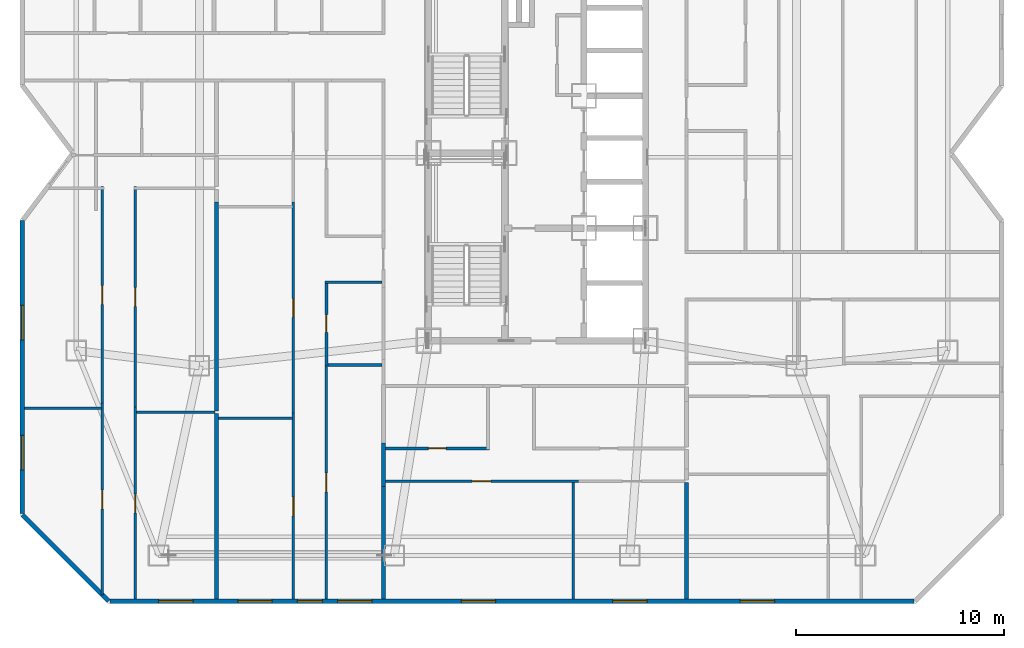
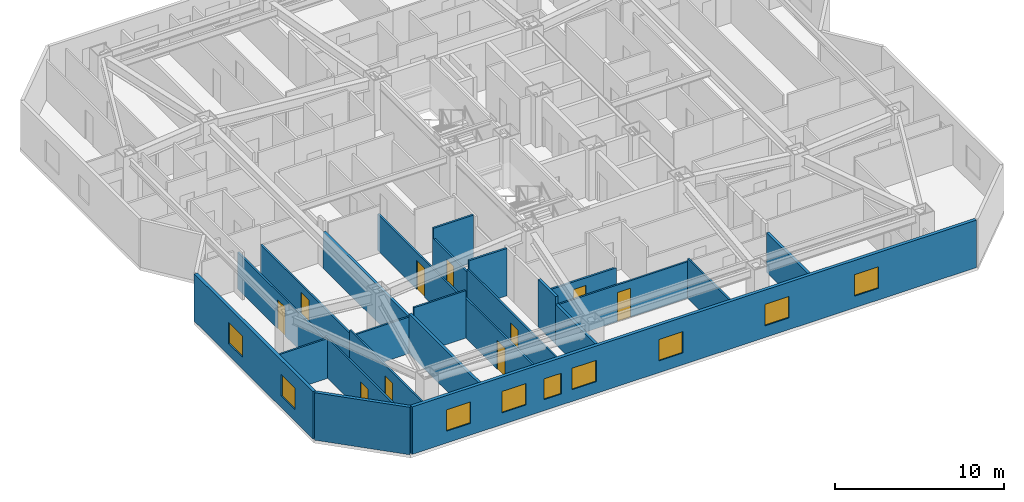
# One storey, part 5 of 11: 24 walls, 10 doors, 9 windows, 19 openings.
"""IFC4 building model written with IfcOpenShell, lengths in metres."""

from ifc_helpers import new_model, si_unit, direction, frame, frame_2d, origin, place, context, subcontext, project, spatial, rectangle, extrude, material, layer, layer_set, type_object, element, fill, save


model = new_model("IFC4")

# Units and contexts
model_context = context("Model", 3, precision=1e-05, world=origin(), true_north=direction((0.0, 1.0)))
body_context = subcontext(model_context, "Body", "Model", "MODEL_VIEW")
ifc_project = project(units=[si_unit("LENGTHUNIT", "METRE"), si_unit("AREAUNIT", "SQUARE_METRE"), si_unit("VOLUMEUNIT", "CUBIC_METRE"), si_unit("PLANEANGLEUNIT", "RADIAN"), si_unit("MASSUNIT", "GRAM", prefix="KILO")], contexts=[model_context])

# Site, building, storey
site_placement = place(None, origin())
site = spatial("IfcSite", under=ifc_project, at=site_placement, CompositionType="ELEMENT")
building_placement = place(site_placement, origin())
building = spatial("IfcBuilding", under=site, at=building_placement, Name="Khamvora Tower", CompositionType="ELEMENT")
storey_placement = place(building_placement, frame((0.0, 0.0, 116.5)))
storey = spatial("IfcBuildingStorey", under=building, at=storey_placement, Name="L29", CompositionType="ELEMENT", Elevation=116.5)

# Walls
ifc_material_1 = material(Name="Acoustic Double-Stud Fire Wall", Category="gypsum")
ifc_layer_1 = layer(ifc_material_1, 0.179931640625)
ifc_layer_set_1 = layer_set([ifc_layer_1], Name="Acoustic Double-Stud Fire Wall")
wall_type_1 = type_object("IfcWallType", Name="WAL-CORR-180", PredefinedType="STANDARD", material=ifc_layer_set_1)
wall_1_placement = place(storey_placement, frame((18.830078125, 15.5029296875, 0.0), z_axis=(0.0, 0.0, 1.0), x_axis=(0.0, -1.0, 0.0)))
element("IfcWall", 1, at=wall_1_placement, inside=storey, type_object=wall_type_1, Name="L29 interior partition wall 057", PredefinedType="STANDARD", context=body_context, shape_type="SweptSolid", body=[
    extrude(rectangle(XDim=8.890869140625, YDim=0.179931640625, at=frame_2d((4.4453125, 0.0))), origin(), (0.0, 0.0, 1.0), 2.8759765625),
])
wall_2_placement = place(storey_placement, frame((18.830078125, 25.6669921875, 0.0), z_axis=(0.0, 0.0, 1.0), x_axis=(0.0, -1.0, 0.0)))
element("IfcWall", 2, at=wall_2_placement, inside=storey, type_object=wall_type_1, Name="L29 interior partition wall 058", PredefinedType="STANDARD", context=body_context, shape_type="SweptSolid", body=[
    extrude(rectangle(XDim=10.033935546875, YDim=0.179931640625, at=frame_2d((5.01708984375, 0.0))), origin(), (0.0, 0.0, 1.0), 2.64697265625),
])
wall_3_placement = place(storey_placement, frame((26.8349609375, 14.0869140625, 0.0), z_axis=(0.0, 0.0, 1.0), x_axis=(0.0, -1.0, 0.0)))
element("IfcWall", 3, at=wall_3_placement, inside=storey, type_object=wall_type_1, Name="L29 interior partition wall 062", PredefinedType="STANDARD", context=body_context, shape_type="SweptSolid", body=[
    extrude(rectangle(XDim=2.077880859375, YDim=0.179931640625, at=frame_2d((1.0390625, 0.0))), origin(), (0.0, 0.0, 1.0), 3.429931640625),
])
wall_4_placement = place(storey_placement, frame((26.8349609375, 12.009033203125, 0.0), z_axis=(0.0, 0.0, 1.0), x_axis=(0.0, -1.0, 0.0)))
element("IfcWall", 4, at=wall_4_placement, inside=storey, type_object=wall_type_1, Name="L29 interior partition wall 064", PredefinedType="STANDARD", context=body_context, shape_type="SweptSolid", body=[
    extrude(rectangle(XDim=5.39697265625, YDim=0.179931640625, at=frame_2d((2.698486328125, 0.0))), origin(), (0.0, 0.0, 1.0), 2.8759765625),
])
wall_5_placement = place(storey_placement, frame((41.364990234375, 12.193115234375, 0.0), z_axis=(0.0, 0.0, 1.0), x_axis=(0.0, -1.0, 0.0)))
element("IfcWall", 5, at=wall_5_placement, inside=storey, type_object=wall_type_1, Name="L29 interior partition wall 108", PredefinedType="STANDARD", context=body_context, shape_type="SweptSolid", body=[
    extrude(rectangle(XDim=5.5810546875, YDim=0.179931640625, at=frame_2d((2.79052734375, 0.0))), origin(), (0.0, 0.0, 1.0), 2.8759765625),
])
ifc_material_2 = material(Name="Precast concrete C40/50", Category="concrete")
ifc_layer_2 = layer(ifc_material_2, 0.219970703125)
ifc_layer_set_2 = layer_set([ifc_layer_2], Name="Precast concrete C40/50")
wall_type_2 = type_object("IfcWallType", Name="WAL-EXT-220", PredefinedType="STANDARD", material=ifc_layer_set_2)
wall_6_placement = place(storey_placement, frame((13.64599609375, 6.510009765625, 0.0), z_axis=(0.0, 0.0, 1.0), x_axis=(-0.707106781187, 0.707106781187, 0.0)))
element("IfcWall", 6, at=wall_6_placement, inside=storey, type_object=wall_type_2, Name="L29 exterior facade wall 01.1", PredefinedType="STANDARD", context=body_context, shape_type="SweptSolid", body=[
    extrude(rectangle(XDim=5.84912109375, YDim=0.219970703125, at=frame_2d((2.924560546875, 0.0))), origin(), (0.0, 0.0, 1.0), 3.429931640625),
])

# Wall, openings, windows
wall_7_placement = place(storey_placement, frame((9.510009765625, 10.717041015625, 0.0), z_axis=(0.0, 0.0, 1.0), x_axis=(0.0, 1.0, 0.0)))
wall_7 = element("IfcWall", 7, at=wall_7_placement, inside=storey, type_object=wall_type_2, Name="L29 exterior facade wall 02.1", PredefinedType="STANDARD", context=body_context, shape_type="SweptSolid", body=[
    extrude(rectangle(XDim=14.0458984375, YDim=0.219970703125, at=frame_2d((7.02294921875, 0.0))), origin(), (0.0, 0.0, 1.0), 3.429931640625),
])
opening_1_placement = place(wall_7_placement, frame((2.090087890625, 0.0, 0.85009765625)))
opening_1 = element("IfcOpeningElement", 8, at=opening_1_placement, cuts=wall_7, Name="Opening WN-06", PredefinedType="OPENING", context=body_context, shape_type="SweptSolid", body=[
    extrude(rectangle(XDim=1.64990234375, YDim=1.550048828125, at=frame_2d((0.824951171875, 0.77490234375))), frame((0.0, 0.119873046875, 0.0), z_axis=(0.0, -1.0, 0.0), x_axis=(1.0, 0.0, 0.0)), (0.0, 0.0, 1.0), 0.239990234375),
])
opening_2_placement = place(wall_7_placement, frame((8.327880859375, 0.0, 0.85009765625)))
opening_2 = element("IfcOpeningElement", 9, at=opening_2_placement, cuts=wall_7, Name="Opening WN-06", PredefinedType="OPENING", context=body_context, shape_type="SweptSolid", body=[
    extrude(rectangle(XDim=1.64990234375, YDim=1.550048828125, at=frame_2d((0.824951171875, 0.77490234375))), frame((0.0, 0.119873046875, 0.0), z_axis=(0.0, -1.0, 0.0), x_axis=(1.0, 0.0, 0.0)), (0.0, 0.0, 1.0), 0.239990234375),
])
ifc_material_3 = material(Name="Low-E Laminated Double Glazing", Category="glass")
window_type_1 = type_object("IfcWindowType", Name="WIN-VIS-1650x1550", PartitioningType="SINGLE_PANEL", PredefinedType="WINDOW", material=ifc_material_3)
window_1_placement = place(opening_1_placement, origin())
window_1 = element("IfcWindow", 10, at=window_1_placement, inside=storey, type_object=window_type_1, Name="L29 vision window 02.1.01", OverallHeight=1.550048828125, OverallWidth=1.64990234375, PartitioningType="SINGLE_PANEL", PredefinedType="WINDOW", context=body_context, shape_type="SweptSolid", body=[
    extrude(rectangle(XDim=1.64990234375, YDim=1.550048828125, at=frame_2d((0.824951171875, 0.77490234375))), frame((0.0, 0.030029296875, 0.0), z_axis=(0.0, -1.0, 0.0), x_axis=(1.0, 0.0, 0.0)), (0.0, 0.0, 1.0), 0.06005859375),
])
fill(opening_1, window_1)
window_2_placement = place(opening_2_placement, origin())
window_2 = element("IfcWindow", 11, at=window_2_placement, inside=storey, type_object=window_type_1, Name="L29 vision window 02.1.02", OverallHeight=1.550048828125, OverallWidth=1.64990234375, PartitioningType="SINGLE_PANEL", PredefinedType="WINDOW", context=body_context, shape_type="SweptSolid", body=[
    extrude(rectangle(XDim=1.64990234375, YDim=1.550048828125, at=frame_2d((0.824951171875, 0.77490234375))), frame((0.0, 0.030029296875, 0.0), z_axis=(0.0, -1.0, 0.0), x_axis=(1.0, 0.0, 0.0)), (0.0, 0.0, 1.0), 0.06005859375),
])
fill(opening_2, window_2)

wall_8_placement = place(storey_placement, frame((52.282958984375, 6.510009765625, 0.0), z_axis=(0.0, 0.0, 1.0), x_axis=(-1.0, 0.0, 0.0)))
wall_8 = element("IfcWall", 12, at=wall_8_placement, inside=storey, type_object=wall_type_2, Name="L29 exterior facade wall 14.1", PredefinedType="STANDARD", context=body_context, shape_type="SweptSolid", body=[
    extrude(rectangle(XDim=38.56787109375, YDim=0.219970703125, at=frame_2d((19.283935546875, 0.0))), origin(), (0.0, 0.0, 1.0), 3.429931640625),
])
opening_3_placement = place(wall_8_placement, frame((34.5810546875, 0.0, 0.85009765625)))
opening_3 = element("IfcOpeningElement", 13, at=opening_3_placement, cuts=wall_8, Name="Opening WN-06", PredefinedType="OPENING", context=body_context, shape_type="SweptSolid", body=[
    extrude(rectangle(XDim=1.64990234375, YDim=1.550048828125, at=frame_2d((0.824951171875, 0.77490234375))), frame((0.0, 0.119873046875, 0.0), z_axis=(0.0, -1.0, 0.0), x_axis=(1.0, 0.0, 0.0)), (0.0, 0.0, 1.0), 0.239990234375),
])
opening_4_placement = place(wall_8_placement, frame((25.991943359375, 0.0, 0.85009765625)))
opening_4 = element("IfcOpeningElement", 14, at=opening_4_placement, cuts=wall_8, Name="Opening WN-06", PredefinedType="OPENING", context=body_context, shape_type="SweptSolid", body=[
    extrude(rectangle(XDim=1.64990234375, YDim=1.550048828125, at=frame_2d((0.824951171875, 0.77490234375))), frame((0.0, 0.119873046875, 0.0), z_axis=(0.0, -1.0, 0.0), x_axis=(1.0, 0.0, 0.0)), (0.0, 0.0, 1.0), 0.239990234375),
])
opening_5_placement = place(wall_8_placement, frame((28.375, 0.0, 0.800048828125)))
opening_5 = element("IfcOpeningElement", 15, at=opening_5_placement, cuts=wall_8, Name="Opening WN-03", PredefinedType="OPENING", context=body_context, shape_type="SweptSolid", body=[
    extrude(rectangle(XDim=1.199951171875, YDim=1.5, at=frame_2d((0.60009765625, 0.75))), frame((0.0, 0.119873046875, 0.0), z_axis=(0.0, -1.0, 0.0), x_axis=(1.0, 0.0, 0.0)), (0.0, 0.0, 1.0), 0.239990234375),
])
opening_6_placement = place(wall_8_placement, frame((30.783935546875, 0.0, 0.85009765625)))
opening_6 = element("IfcOpeningElement", 16, at=opening_6_placement, cuts=wall_8, Name="Opening WN-06", PredefinedType="OPENING", context=body_context, shape_type="SweptSolid", body=[
    extrude(rectangle(XDim=1.64990234375, YDim=1.550048828125, at=frame_2d((0.824951171875, 0.77490234375))), frame((0.0, 0.119873046875, 0.0), z_axis=(0.0, -1.0, 0.0), x_axis=(1.0, 0.0, 0.0)), (0.0, 0.0, 1.0), 0.239990234375),
])
opening_7_placement = place(wall_8_placement, frame((20.06689453125, 0.0, 0.85009765625)))
opening_7 = element("IfcOpeningElement", 17, at=opening_7_placement, cuts=wall_8, Name="Opening WN-06", PredefinedType="OPENING", context=body_context, shape_type="SweptSolid", body=[
    extrude(rectangle(XDim=1.64990234375, YDim=1.550048828125, at=frame_2d((0.824951171875, 0.77490234375))), frame((0.0, 0.119873046875, 0.0), z_axis=(0.0, -1.0, 0.0), x_axis=(1.0, 0.0, 0.0)), (0.0, 0.0, 1.0), 0.239990234375),
])
opening_8_placement = place(wall_8_placement, frame((12.802001953125, 0.0, 0.85009765625)))
opening_8 = element("IfcOpeningElement", 18, at=opening_8_placement, cuts=wall_8, Name="Opening WN-06", PredefinedType="OPENING", context=body_context, shape_type="SweptSolid", body=[
    extrude(rectangle(XDim=1.64990234375, YDim=1.550048828125, at=frame_2d((0.824951171875, 0.77490234375))), frame((0.0, 0.119873046875, 0.0), z_axis=(0.0, -1.0, 0.0), x_axis=(1.0, 0.0, 0.0)), (0.0, 0.0, 1.0), 0.239990234375),
])
opening_9_placement = place(wall_8_placement, frame((6.68798828125, 0.0, 0.85009765625)))
opening_9 = element("IfcOpeningElement", 19, at=opening_9_placement, cuts=wall_8, Name="Opening WN-06", PredefinedType="OPENING", context=body_context, shape_type="SweptSolid", body=[
    extrude(rectangle(XDim=1.64990234375, YDim=1.550048828125, at=frame_2d((0.824951171875, 0.77490234375))), frame((0.0, 0.119873046875, 0.0), z_axis=(0.0, -1.0, 0.0), x_axis=(1.0, 0.0, 0.0)), (0.0, 0.0, 1.0), 0.239990234375),
])
window_type_2 = type_object("IfcWindowType", Name="WIN-VIS-1200x1500", PartitioningType="SINGLE_PANEL", PredefinedType="WINDOW", material=ifc_material_3)
window_3_placement = place(opening_5_placement, origin())
window_3 = element("IfcWindow", 20, at=window_3_placement, inside=storey, type_object=window_type_2, Name="L29 vision window 14.1.03", OverallHeight=1.5, OverallWidth=1.199951171875, PartitioningType="SINGLE_PANEL", PredefinedType="WINDOW", context=body_context, shape_type="SweptSolid", body=[
    extrude(rectangle(XDim=1.199951171875, YDim=1.5, at=frame_2d((0.60009765625, 0.75))), frame((0.0, 0.030029296875, 0.0), z_axis=(0.0, -1.0, 0.0), x_axis=(1.0, 0.0, 0.0)), (0.0, 0.0, 1.0), 0.06005859375),
])
fill(opening_5, window_3)
window_4_placement = place(opening_3_placement, origin())
window_4 = element("IfcWindow", 21, at=window_4_placement, inside=storey, type_object=window_type_1, Name="L29 vision window 14.1.01", OverallHeight=1.550048828125, OverallWidth=1.64990234375, PartitioningType="SINGLE_PANEL", PredefinedType="WINDOW", context=body_context, shape_type="SweptSolid", body=[
    extrude(rectangle(XDim=1.64990234375, YDim=1.550048828125, at=frame_2d((0.824951171875, 0.77490234375))), frame((0.0, 0.030029296875, 0.0), z_axis=(0.0, -1.0, 0.0), x_axis=(1.0, 0.0, 0.0)), (0.0, 0.0, 1.0), 0.06005859375),
])
fill(opening_3, window_4)
window_5_placement = place(opening_4_placement, origin())
window_5 = element("IfcWindow", 22, at=window_5_placement, inside=storey, type_object=window_type_1, Name="L29 vision window 14.1.02", OverallHeight=1.550048828125, OverallWidth=1.64990234375, PartitioningType="SINGLE_PANEL", PredefinedType="WINDOW", context=body_context, shape_type="SweptSolid", body=[
    extrude(rectangle(XDim=1.64990234375, YDim=1.550048828125, at=frame_2d((0.824951171875, 0.77490234375))), frame((0.0, 0.030029296875, 0.0), z_axis=(0.0, -1.0, 0.0), x_axis=(1.0, 0.0, 0.0)), (0.0, 0.0, 1.0), 0.06005859375),
])
fill(opening_4, window_5)
window_6_placement = place(opening_6_placement, origin())
window_6 = element("IfcWindow", 23, at=window_6_placement, inside=storey, type_object=window_type_1, Name="L29 vision window 14.1.04", OverallHeight=1.550048828125, OverallWidth=1.64990234375, PartitioningType="SINGLE_PANEL", PredefinedType="WINDOW", context=body_context, shape_type="SweptSolid", body=[
    extrude(rectangle(XDim=1.64990234375, YDim=1.550048828125, at=frame_2d((0.824951171875, 0.77490234375))), frame((0.0, 0.030029296875, 0.0), z_axis=(0.0, -1.0, 0.0), x_axis=(1.0, 0.0, 0.0)), (0.0, 0.0, 1.0), 0.06005859375),
])
fill(opening_6, window_6)
window_7_placement = place(opening_7_placement, origin())
window_7 = element("IfcWindow", 24, at=window_7_placement, inside=storey, type_object=window_type_1, Name="L29 vision window 14.1.05", OverallHeight=1.550048828125, OverallWidth=1.64990234375, PartitioningType="SINGLE_PANEL", PredefinedType="WINDOW", context=body_context, shape_type="SweptSolid", body=[
    extrude(rectangle(XDim=1.64990234375, YDim=1.550048828125, at=frame_2d((0.824951171875, 0.77490234375))), frame((0.0, 0.030029296875, 0.0), z_axis=(0.0, -1.0, 0.0), x_axis=(1.0, 0.0, 0.0)), (0.0, 0.0, 1.0), 0.06005859375),
])
fill(opening_7, window_7)
window_8_placement = place(opening_8_placement, origin())
window_8 = element("IfcWindow", 25, at=window_8_placement, inside=storey, type_object=window_type_1, Name="L29 vision window 14.1.06", OverallHeight=1.550048828125, OverallWidth=1.64990234375, PartitioningType="SINGLE_PANEL", PredefinedType="WINDOW", context=body_context, shape_type="SweptSolid", body=[
    extrude(rectangle(XDim=1.64990234375, YDim=1.550048828125, at=frame_2d((0.824951171875, 0.77490234375))), frame((0.0, 0.030029296875, 0.0), z_axis=(0.0, -1.0, 0.0), x_axis=(1.0, 0.0, 0.0)), (0.0, 0.0, 1.0), 0.06005859375),
])
fill(opening_8, window_8)
window_9_placement = place(opening_9_placement, origin())
window_9 = element("IfcWindow", 26, at=window_9_placement, inside=storey, type_object=window_type_1, Name="L29 vision window 14.1.07", OverallHeight=1.550048828125, OverallWidth=1.64990234375, PartitioningType="SINGLE_PANEL", PredefinedType="WINDOW", context=body_context, shape_type="SweptSolid", body=[
    extrude(rectangle(XDim=1.64990234375, YDim=1.550048828125, at=frame_2d((0.824951171875, 0.77490234375))), frame((0.0, 0.030029296875, 0.0), z_axis=(0.0, -1.0, 0.0), x_axis=(1.0, 0.0, 0.0)), (0.0, 0.0, 1.0), 0.06005859375),
])
fill(opening_9, window_9)

# Wall, opening, door
ifc_material_4 = material(Name="Gypsum Plasterboard Partition", Category="gypsum")
ifc_layer_3 = layer(ifc_material_4, 0.1201171875)
ifc_layer_set_3 = layer_set([ifc_layer_3], Name="Gypsum Plasterboard Partition")
wall_type_3 = type_object("IfcWallType", Name="WAL-PART-120", PredefinedType="PARTITIONING", material=ifc_layer_set_3)
wall_9_placement = place(storey_placement, frame((13.35302734375, 6.7939453125, 0.0), z_axis=(0.0, 0.0, 1.0), x_axis=(0.0, 1.0, 0.0)))
wall_9 = element("IfcWall", 27, at=wall_9_placement, inside=storey, type_object=wall_type_3, Name="L29 interior partition wall 047", PredefinedType="PARTITIONING", context=body_context, shape_type="SweptSolid", body=[
    extrude(rectangle(XDim=9.217041015625, YDim=0.1201171875, at=frame_2d((4.6083984375, 0.0))), origin(), (0.0, 0.0, 1.0), 2.8759765625),
])
opening_10_placement = place(wall_9_placement, frame((4.137939453125, 0.0, 0.0)))
opening_10 = element("IfcOpeningElement", 28, at=opening_10_placement, cuts=wall_9, Name="Opening D-RM1", PredefinedType="OPENING", context=body_context, shape_type="SweptSolid", body=[
    extrude(rectangle(XDim=0.89990234375, YDim=2.10009765625, at=frame_2d((0.449951171875, 1.050048828125))), frame((0.0, 0.070068359375, 0.0), z_axis=(0.0, -1.0, 0.0), x_axis=(1.0, 0.0, 0.0)), (0.0, 0.0, 1.0), 0.14013671875),
])
ifc_material_5 = material(Name="Powder-Coated Steel and Hardwood Leaf", Category="steel")
door_type_1 = type_object("IfcDoorType", Name="DOR-ROOM-900", OperationType="NOTDEFINED", PredefinedType="DOOR", material=ifc_material_5)
door_1_placement = place(opening_10_placement, origin())
door_1 = element("IfcDoor", 29, at=door_1_placement, inside=storey, type_object=door_type_1, Name="L29 interior door 29WA1H-29WA1L", OperationType="SINGLE_SWING_RIGHT", OverallHeight=2.10009765625, OverallWidth=0.89990234375, PredefinedType="DOOR", context=body_context, shape_type="SweptSolid", body=[
    extrude(rectangle(XDim=0.89990234375, YDim=2.10009765625, at=frame_2d((0.449951171875, 1.050048828125))), frame((0.0, 0.02490234375, 0.0), z_axis=(0.0, -1.0, 0.0), x_axis=(1.0, 0.0, 0.0)), (0.0, 0.0, 1.0), 0.050048828125),
])
fill(opening_10, door_1)

wall_10_placement = place(storey_placement, frame((13.35302734375, 16.010986328125, 0.0), z_axis=(0.0, 0.0, 1.0), x_axis=(0.0, 1.0, 0.0)))
wall_10 = element("IfcWall", 30, at=wall_10_placement, inside=storey, type_object=wall_type_3, Name="L29 interior partition wall 048", PredefinedType="PARTITIONING", context=body_context, shape_type="SweptSolid", body=[
    extrude(rectangle(XDim=10.37890625, YDim=0.1201171875, at=frame_2d((5.189453125, 0.0))), origin(), (0.0, 0.0, 1.0), 2.64697265625),
])
opening_11_placement = place(wall_10_placement, frame((4.739013671875, 0.0, 0.0)))
opening_11 = element("IfcOpeningElement", 31, at=opening_11_placement, cuts=wall_10, Name="Opening D-RM1", PredefinedType="OPENING", context=body_context, shape_type="SweptSolid", body=[
    extrude(rectangle(XDim=0.89990234375, YDim=2.10009765625, at=frame_2d((0.449951171875, 1.050048828125))), frame((0.0, 0.070068359375, 0.0), z_axis=(0.0, -1.0, 0.0), x_axis=(1.0, 0.0, 0.0)), (0.0, 0.0, 1.0), 0.14013671875),
])
door_2_placement = place(opening_11_placement, origin())
door_2 = element("IfcDoor", 32, at=door_2_placement, inside=storey, type_object=door_type_1, Name="L29 interior door 29WA1H-29WA1R2", OperationType="SINGLE_SWING_LEFT", OverallHeight=2.10009765625, OverallWidth=0.89990234375, PredefinedType="DOOR", context=body_context, shape_type="SweptSolid", body=[
    extrude(rectangle(XDim=0.89990234375, YDim=2.10009765625, at=frame_2d((0.449951171875, 1.050048828125))), frame((0.0, 0.02490234375, 0.0), z_axis=(0.0, -1.0, 0.0), x_axis=(1.0, 0.0, 0.0)), (0.0, 0.0, 1.0), 0.050048828125),
])
fill(opening_11, door_2)

wall_11_placement = place(storey_placement, frame((14.923095703125, 15.81689453125, 0.0), z_axis=(0.0, 0.0, 1.0), x_axis=(0.0, -1.0, 0.0)))
wall_11 = element("IfcWall", 33, at=wall_11_placement, inside=storey, type_object=wall_type_3, Name="L29 interior partition wall 050", PredefinedType="PARTITIONING", context=body_context, shape_type="SweptSolid", body=[
    extrude(rectangle(XDim=9.204833984375, YDim=0.1201171875, at=frame_2d((4.6025390625, 0.0))), origin(), (0.0, 0.0, 1.0), 2.8759765625),
])
opening_12_placement = place(wall_11_placement, frame((4.173095703125, 0.0, 0.0)))
opening_12 = element("IfcOpeningElement", 34, at=opening_12_placement, cuts=wall_11, Name="Opening D-RM1", PredefinedType="OPENING", context=body_context, shape_type="SweptSolid", body=[
    extrude(rectangle(XDim=0.89990234375, YDim=2.10009765625, at=frame_2d((0.449951171875, 1.050048828125))), frame((0.0, 0.070068359375, 0.0), z_axis=(0.0, -1.0, 0.0), x_axis=(1.0, 0.0, 0.0)), (0.0, 0.0, 1.0), 0.14013671875),
])
door_3_placement = place(opening_12_placement, origin())
door_3 = element("IfcDoor", 35, at=door_3_placement, inside=storey, type_object=door_type_1, Name="L29 interior door 29WA1H-29WA1R3", OperationType="SINGLE_SWING_RIGHT", OverallHeight=2.10009765625, OverallWidth=0.89990234375, PredefinedType="DOOR", context=body_context, shape_type="SweptSolid", body=[
    extrude(rectangle(XDim=0.89990234375, YDim=2.10009765625, at=frame_2d((0.449951171875, 1.050048828125))), frame((0.0, 0.02490234375, 0.0), z_axis=(0.0, -1.0, 0.0), x_axis=(1.0, 0.0, 0.0)), (0.0, 0.0, 1.0), 0.050048828125),
])
fill(opening_12, door_3)

wall_12_placement = place(storey_placement, frame((14.923095703125, 26.389892578125, 0.0), z_axis=(0.0, 0.0, 1.0), x_axis=(0.0, -1.0, 0.0)))
wall_12 = element("IfcWall", 36, at=wall_12_placement, inside=storey, type_object=wall_type_3, Name="L29 interior partition wall 052", PredefinedType="PARTITIONING", context=body_context, shape_type="SweptSolid", body=[
    extrude(rectangle(XDim=10.572998046875, YDim=0.1201171875, at=frame_2d((5.28662109375, 0.0))), origin(), (0.0, 0.0, 1.0), 2.64697265625),
])
opening_13_placement = place(wall_12_placement, frame((4.8369140625, 0.0, 0.0)))
opening_13 = element("IfcOpeningElement", 37, at=opening_13_placement, cuts=wall_12, Name="Opening D-RM1", PredefinedType="OPENING", context=body_context, shape_type="SweptSolid", body=[
    extrude(rectangle(XDim=0.89990234375, YDim=2.10009765625, at=frame_2d((0.449951171875, 1.050048828125))), frame((0.0, 0.070068359375, 0.0), z_axis=(0.0, -1.0, 0.0), x_axis=(1.0, 0.0, 0.0)), (0.0, 0.0, 1.0), 0.14013671875),
])
door_4_placement = place(opening_13_placement, origin())
door_4 = element("IfcDoor", 38, at=door_4_placement, inside=storey, type_object=door_type_1, Name="L29 interior door 29WA1H-29WA1R4", OperationType="SINGLE_SWING_LEFT", OverallHeight=2.10009765625, OverallWidth=0.89990234375, PredefinedType="DOOR", context=body_context, shape_type="SweptSolid", body=[
    extrude(rectangle(XDim=0.89990234375, YDim=2.10009765625, at=frame_2d((0.449951171875, 1.050048828125))), frame((0.0, 0.02490234375, 0.0), z_axis=(0.0, -1.0, 0.0), x_axis=(1.0, 0.0, 0.0)), (0.0, 0.0, 1.0), 0.050048828125),
])
fill(opening_13, door_4)

# Walls
wall_13_placement = place(storey_placement, frame((9.612060546875, 15.761962890625, 0.0), z_axis=(0.0, 0.0, 1.0), x_axis=(1.0, 0.0, 0.0)))
element("IfcWall", 39, at=wall_13_placement, inside=storey, type_object=wall_type_3, Name="L29 interior partition wall 055", PredefinedType="PARTITIONING", context=body_context, shape_type="SweptSolid", body=[
    extrude(rectangle(XDim=3.68701171875, YDim=0.1201171875, at=frame_2d((1.843505859375, 0.0))), origin(), (0.0, 0.0, 1.0), 2.8759765625),
])
wall_14_placement = place(storey_placement, frame((14.97705078125, 15.568115234375, 0.0), z_axis=(0.0, 0.0, 1.0), x_axis=(1.0, 0.0, 0.0)))
element("IfcWall", 40, at=wall_14_placement, inside=storey, type_object=wall_type_3, Name="L29 interior partition wall 056", PredefinedType="PARTITIONING", context=body_context, shape_type="SweptSolid", body=[
    extrude(rectangle(XDim=3.787841796875, YDim=0.1201171875, at=frame_2d((1.89404296875, 0.0))), origin(), (0.0, 0.0, 1.0), 2.64697265625),
])

# Wall, opening, door
wall_15_placement = place(storey_placement, frame((24.097900390625, 6.612060546875, 0.0), z_axis=(0.0, 0.0, 1.0), x_axis=(0.0, 1.0, 0.0)))
wall_15 = element("IfcWall", 41, at=wall_15_placement, inside=storey, type_object=wall_type_3, Name="L29 interior partition wall 060", PredefinedType="PARTITIONING", context=body_context, shape_type="SweptSolid", body=[
    extrude(rectangle(XDim=11.1669921875, YDim=0.1201171875, at=frame_2d((5.58349609375, 0.0))), origin(), (0.0, 0.0, 1.0), 2.8759765625),
])
opening_14_placement = place(wall_15_placement, frame((5.133056640625, 0.0, 0.0)))
opening_14 = element("IfcOpeningElement", 42, at=opening_14_placement, cuts=wall_15, Name="Opening D-RM1", PredefinedType="OPENING", context=body_context, shape_type="SweptSolid", body=[
    extrude(rectangle(XDim=0.89990234375, YDim=2.10009765625, at=frame_2d((0.449951171875, 1.050048828125))), frame((0.0, 0.070068359375, 0.0), z_axis=(0.0, -1.0, 0.0), x_axis=(1.0, 0.0, 0.0)), (0.0, 0.0, 1.0), 0.14013671875),
])
door_5_placement = place(opening_14_placement, origin())
door_5 = element("IfcDoor", 43, at=door_5_placement, inside=storey, type_object=door_type_1, Name="L29 interior door 29WA2W1-29WA2H", OperationType="SINGLE_SWING_RIGHT", OverallHeight=2.10009765625, OverallWidth=0.89990234375, PredefinedType="DOOR", context=body_context, shape_type="SweptSolid", body=[
    extrude(rectangle(XDim=0.89990234375, YDim=2.10009765625, at=frame_2d((0.449951171875, 1.050048828125))), frame((0.0, 0.02490234375, 0.0), z_axis=(0.0, -1.0, 0.0), x_axis=(1.0, 0.0, 0.0)), (0.0, 0.0, 1.0), 0.050048828125),
])
fill(opening_14, door_5)

wall_16_placement = place(storey_placement, frame((22.51806640625, 6.612060546875, 0.0), z_axis=(0.0, 0.0, 1.0), x_axis=(0.0, 1.0, 0.0)))
wall_16 = element("IfcWall", 44, at=wall_16_placement, inside=storey, type_object=wall_type_3, Name="L29 interior partition wall 069", PredefinedType="PARTITIONING", context=body_context, shape_type="SweptSolid", body=[
    extrude(rectangle(XDim=8.910888671875, YDim=0.1201171875, at=frame_2d((4.45556640625, 0.0))), origin(), (0.0, 0.0, 1.0), 2.8759765625),
])
opening_15_placement = place(wall_16_placement, frame((3.98388671875, 0.0, 0.0)))
opening_15 = element("IfcOpeningElement", 45, at=opening_15_placement, cuts=wall_16, Name="Opening D-RM1", PredefinedType="OPENING", context=body_context, shape_type="SweptSolid", body=[
    extrude(rectangle(XDim=0.89990234375, YDim=2.10009765625, at=frame_2d((0.449951171875, 1.050048828125))), frame((0.0, 0.070068359375, 0.0), z_axis=(0.0, -1.0, 0.0), x_axis=(1.0, 0.0, 0.0)), (0.0, 0.0, 1.0), 0.14013671875),
])
door_6_placement = place(opening_15_placement, origin())
door_6 = element("IfcDoor", 46, at=door_6_placement, inside=storey, type_object=door_type_1, Name="L29 interior door 29WA2H-29WA2L", OperationType="SINGLE_SWING_LEFT", OverallHeight=2.10009765625, OverallWidth=0.89990234375, PredefinedType="DOOR", context=body_context, shape_type="SweptSolid", body=[
    extrude(rectangle(XDim=0.89990234375, YDim=2.10009765625, at=frame_2d((0.449951171875, 1.050048828125))), frame((0.0, 0.02490234375, 0.0), z_axis=(0.0, -1.0, 0.0), x_axis=(1.0, 0.0, 0.0)), (0.0, 0.0, 1.0), 0.050048828125),
])
fill(opening_15, door_6)

wall_17_placement = place(storey_placement, frame((22.51806640625, 15.52294921875, 0.0), z_axis=(0.0, 0.0, 1.0), x_axis=(0.0, 1.0, 0.0)))
wall_17 = element("IfcWall", 47, at=wall_17_placement, inside=storey, type_object=wall_type_3, Name="L29 interior partition wall 070", PredefinedType="PARTITIONING", context=body_context, shape_type="SweptSolid", body=[
    extrude(rectangle(XDim=10.14404296875, YDim=0.1201171875, at=frame_2d((5.072021484375, 0.0))), origin(), (0.0, 0.0, 1.0), 2.64697265625),
])
opening_16_placement = place(wall_17_placement, frame((4.60107421875, 0.0, 0.0)))
opening_16 = element("IfcOpeningElement", 48, at=opening_16_placement, cuts=wall_17, Name="Opening D-RM1", PredefinedType="OPENING", context=body_context, shape_type="SweptSolid", body=[
    extrude(rectangle(XDim=0.89990234375, YDim=2.10009765625, at=frame_2d((0.449951171875, 1.050048828125))), frame((0.0, 0.070068359375, 0.0), z_axis=(0.0, -1.0, 0.0), x_axis=(1.0, 0.0, 0.0)), (0.0, 0.0, 1.0), 0.14013671875),
])
door_7_placement = place(opening_16_placement, origin())
door_7 = element("IfcDoor", 49, at=door_7_placement, inside=storey, type_object=door_type_1, Name="L29 interior door 29WA2H-29WA2R2", OperationType="SINGLE_SWING_RIGHT", OverallHeight=2.10009765625, OverallWidth=0.89990234375, PredefinedType="DOOR", context=body_context, shape_type="SweptSolid", body=[
    extrude(rectangle(XDim=0.89990234375, YDim=2.10009765625, at=frame_2d((0.449951171875, 1.050048828125))), frame((0.0, 0.02490234375, 0.0), z_axis=(0.0, -1.0, 0.0), x_axis=(1.0, 0.0, 0.0)), (0.0, 0.0, 1.0), 0.050048828125),
])
fill(opening_16, door_7)

# Wall
wall_18_placement = place(storey_placement, frame((18.912109375, 15.27392578125, 0.0), z_axis=(0.0, 0.0, 1.0), x_axis=(1.0, 0.0, 0.0)))
element("IfcWall", 50, at=wall_18_placement, inside=storey, type_object=wall_type_3, Name="L29 interior partition wall 072", PredefinedType="PARTITIONING", context=body_context, shape_type="SweptSolid", body=[
    extrude(rectangle(XDim=3.552001953125, YDim=0.1201171875, at=frame_2d((1.77587890625, 0.0))), origin(), (0.0, 0.0, 1.0), 3.429931640625),
])

# Wall, opening, door
wall_19_placement = place(storey_placement, frame((36.196044921875, 12.258056640625, 0.0), z_axis=(0.0, 0.0, 1.0), x_axis=(-1.0, 0.0, 0.0)))
wall_19 = element("IfcWall", 51, at=wall_19_placement, inside=storey, type_object=wall_type_3, Name="L29 interior partition wall 101", PredefinedType="PARTITIONING", context=body_context, shape_type="SweptSolid", body=[
    extrude(rectangle(XDim=9.279052734375, YDim=0.1201171875, at=frame_2d((4.6396484375, 0.0))), origin(), (0.0, 0.0, 1.0), 2.64697265625),
])
opening_17_placement = place(wall_19_placement, frame((4.2099609375, 0.0, 0.0)))
opening_17 = element("IfcOpeningElement", 52, at=opening_17_placement, cuts=wall_19, Name="Opening D-RM1", PredefinedType="OPENING", context=body_context, shape_type="SweptSolid", body=[
    extrude(rectangle(XDim=0.89990234375, YDim=2.10009765625, at=frame_2d((0.449951171875, 1.050048828125))), frame((0.0, 0.070068359375, 0.0), z_axis=(0.0, -1.0, 0.0), x_axis=(1.0, 0.0, 0.0)), (0.0, 0.0, 1.0), 0.14013671875),
])
door_8_placement = place(opening_17_placement, origin())
door_8 = element("IfcDoor", 53, at=door_8_placement, inside=storey, type_object=door_type_1, Name="L29 interior door 29SAH-29SAR1", OperationType="SINGLE_SWING_RIGHT", OverallHeight=2.10009765625, OverallWidth=0.89990234375, PredefinedType="DOOR", context=body_context, shape_type="SweptSolid", body=[
    extrude(rectangle(XDim=0.89990234375, YDim=2.10009765625, at=frame_2d((0.449951171875, 1.050048828125))), frame((0.0, 0.02490234375, 0.0), z_axis=(0.0, -1.0, 0.0), x_axis=(1.0, 0.0, 0.0)), (0.0, 0.0, 1.0), 0.050048828125),
])
fill(opening_17, door_8)

# Walls
wall_20_placement = place(storey_placement, frame((35.947021484375, 12.2041015625, 0.0), z_axis=(0.0, 0.0, 1.0), x_axis=(0.0, -1.0, 0.0)))
element("IfcWall", 54, at=wall_20_placement, inside=storey, type_object=wall_type_3, Name="L29 interior partition wall 107", PredefinedType="PARTITIONING", context=body_context, shape_type="SweptSolid", body=[
    extrude(rectangle(XDim=5.592041015625, YDim=0.1201171875, at=frame_2d((2.7958984375, 0.0))), origin(), (0.0, 0.0, 1.0), 2.8759765625),
])
ifc_material_6 = material(Name="Moisture-Resistant Plasterboard Partition", Category="gypsum")
ifc_layer_4 = layer(ifc_material_6, 0.135009765625)
ifc_layer_set_4 = layer_set([ifc_layer_4], Name="Moisture-Resistant Plasterboard Partition")
wall_type_4 = type_object("IfcWallType", Name="WAL-WET-135", PredefinedType="PARTITIONING", material=ifc_layer_set_4)
wall_21_placement = place(storey_placement, frame((24.1630859375, 17.843994140625, 0.0), z_axis=(0.0, 0.0, 1.0), x_axis=(1.0, 0.0, 0.0)))
element("IfcWall", 55, at=wall_21_placement, inside=storey, type_object=wall_type_4, Name="L29 interior partition wall 061", PredefinedType="PARTITIONING", context=body_context, shape_type="SweptSolid", body=[
    extrude(rectangle(XDim=2.60693359375, YDim=0.135009765625, at=frame_2d((1.303466796875, 0.0))), origin(), (0.0, 0.0, 1.0), 3.429931640625),
])
wall_22_placement = place(storey_placement, frame((26.77001953125, 21.80908203125, 0.0), z_axis=(0.0, 0.0, 1.0), x_axis=(-1.0, 0.0, 0.0)))
element("IfcWall", 56, at=wall_22_placement, inside=storey, type_object=wall_type_4, Name="L29 interior partition wall 065", PredefinedType="PARTITIONING", context=body_context, shape_type="SweptSolid", body=[
    extrude(rectangle(XDim=2.737060546875, YDim=0.135009765625, at=frame_2d((1.36865234375, 0.0))), origin(), (0.0, 0.0, 1.0), 3.429931640625),
])

# Wall, opening, door
wall_23_placement = place(storey_placement, frame((24.097900390625, 21.8740234375, 0.0), z_axis=(0.0, 0.0, 1.0), x_axis=(0.0, -1.0, 0.0)))
wall_23 = element("IfcWall", 57, at=wall_23_placement, inside=storey, type_object=wall_type_4, Name="L29 interior partition wall 066", PredefinedType="PARTITIONING", context=body_context, shape_type="SweptSolid", body=[
    extrude(rectangle(XDim=4.094970703125, YDim=0.135009765625, at=frame_2d((2.04736328125, 0.0))), origin(), (0.0, 0.0, 1.0), 2.64697265625),
])
opening_18_placement = place(wall_23_placement, frame((1.6220703125, 0.0, 0.0)))
opening_18 = element("IfcOpeningElement", 58, at=opening_18_placement, cuts=wall_23, Name="Opening D-WC1", PredefinedType="OPENING", context=body_context, shape_type="SweptSolid", body=[
    extrude(rectangle(XDim=0.85009765625, YDim=2.10009765625, at=frame_2d((0.425048828125, 1.050048828125))), frame((0.0, 0.077392578125, 0.0), z_axis=(0.0, -1.0, 0.0), x_axis=(1.0, 0.0, 0.0)), (0.0, 0.0, 1.0), 0.155029296875),
])
door_type_2 = type_object("IfcDoorType", Name="DOR-WET-850", OperationType="NOTDEFINED", PredefinedType="DOOR", material=ifc_material_5)
door_9_placement = place(opening_18_placement, origin())
door_9 = element("IfcDoor", 59, at=door_9_placement, inside=storey, type_object=door_type_2, Name="L29 interior door 29WA2H-29WA2B", OperationType="SINGLE_SWING_LEFT", OverallHeight=2.10009765625, OverallWidth=0.85009765625, PredefinedType="DOOR", context=body_context, shape_type="SweptSolid", body=[
    extrude(rectangle(XDim=0.85009765625, YDim=2.10009765625, at=frame_2d((0.425048828125, 1.050048828125))), frame((0.0, 0.02490234375, 0.0), z_axis=(0.0, -1.0, 0.0), x_axis=(1.0, 0.0, 0.0)), (0.0, 0.0, 1.0), 0.050048828125),
])
fill(opening_18, door_9)

wall_24_placement = place(storey_placement, frame((26.9169921875, 13.837890625, 0.0), z_axis=(0.0, 0.0, 1.0), x_axis=(1.0, 0.0, 0.0)))
wall_24 = element("IfcWall", 60, at=wall_24_placement, inside=storey, type_object=wall_type_4, Name="L29 interior partition wall 097", PredefinedType="PARTITIONING", context=body_context, shape_type="SweptSolid", body=[
    extrude(rectangle(XDim=4.998046875, YDim=0.135009765625, at=frame_2d((2.4990234375, 0.0))), origin(), (0.0, 0.0, 1.0), 2.64697265625),
])
opening_19_placement = place(wall_24_placement, frame((2.073974609375, 0.0, 0.0)))
opening_19 = element("IfcOpeningElement", 61, at=opening_19_placement, cuts=wall_24, Name="Opening D-WC1", PredefinedType="OPENING", context=body_context, shape_type="SweptSolid", body=[
    extrude(rectangle(XDim=0.85009765625, YDim=2.10009765625, at=frame_2d((0.425048828125, 1.050048828125))), frame((0.0, 0.077392578125, 0.0), z_axis=(0.0, -1.0, 0.0), x_axis=(1.0, 0.0, 0.0)), (0.0, 0.0, 1.0), 0.155029296875),
])
door_10_placement = place(opening_19_placement, origin())
door_10 = element("IfcDoor", 62, at=door_10_placement, inside=storey, type_object=door_type_2, Name="L29 interior door 29SAH-29SAB", OperationType="SINGLE_SWING_RIGHT", OverallHeight=2.10009765625, OverallWidth=0.85009765625, PredefinedType="DOOR", context=body_context, shape_type="SweptSolid", body=[
    extrude(rectangle(XDim=0.85009765625, YDim=2.10009765625, at=frame_2d((0.425048828125, 1.050048828125))), frame((0.0, 0.02490234375, 0.0), z_axis=(0.0, -1.0, 0.0), x_axis=(1.0, 0.0, 0.0)), (0.0, 0.0, 1.0), 0.050048828125),
])
fill(opening_19, door_10)

save(model, "model.ifc")
